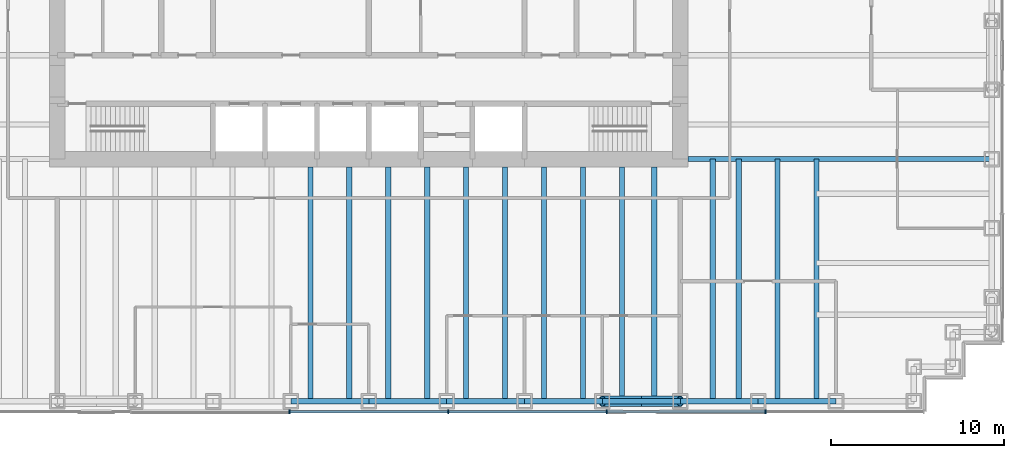
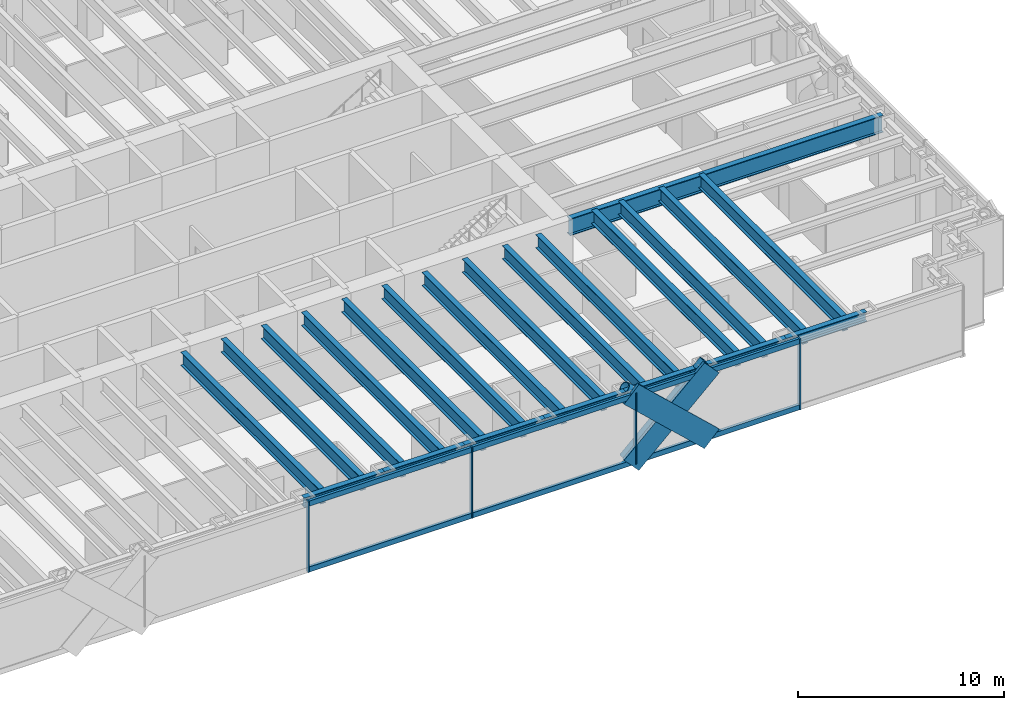
# One storey, part 4 of 17: 22 beams, 14 members, 1 element without a shape of its own.
"""IFC4 building model written with IfcOpenShell, lengths in metres."""

from ifc_helpers import new_model, si_unit, direction, frame, origin, origin_2d, place, context, subcontext, project, spatial, rectangle, hollow_circle, i_section, extrude, material, material_profile, profile_set, type_object, element, aggregate, save


model = new_model("IFC4")

# Units and contexts
model_context = context("Model", 3, precision=1e-05, world=origin(), true_north=direction((0.0, 1.0)))
body_context = subcontext(model_context, "Body", "Model", "MODEL_VIEW")
ifc_project = project(units=[si_unit("LENGTHUNIT", "METRE"), si_unit("AREAUNIT", "SQUARE_METRE"), si_unit("VOLUMEUNIT", "CUBIC_METRE"), si_unit("PLANEANGLEUNIT", "RADIAN"), si_unit("MASSUNIT", "GRAM", prefix="KILO")], contexts=[model_context])

# Site, building, storey
site_placement = place(None, origin())
site = spatial("IfcSite", under=ifc_project, at=site_placement, CompositionType="ELEMENT")
building_placement = place(site_placement, origin())
building = spatial("IfcBuilding", under=site, at=building_placement, Name="Rheinbord Bourse Tower", CompositionType="ELEMENT")
storey_placement = place(building_placement, frame((0.0, 0.0, 138.300048828125)))
storey = spatial("IfcBuildingStorey", under=building, at=storey_placement, Name="L30", CompositionType="ELEMENT", Elevation=138.300048828125)

# Curtain wall, members
ifc_material_1 = material(Name="Dark glass and black aluminium", Category="aluminium")
curtain_wall_type = type_object("IfcCurtainWallType", Name="CW2 DARK GLASS CURTAIN WALL", PredefinedType="USERDEFINED", material=ifc_material_1)
curtain_wall_placement = place(storey_placement, origin())
curtain_wall = element("IfcCurtainWall", 1, at=curtain_wall_placement, inside=storey, type_object=curtain_wall_type, Name="Curtain wall CW2 S L30", ObjectType="UNITISED CURTAIN WALL", PredefinedType="USERDEFINED")
ifc_material_2 = material(Name="Black anodised aluminium", Category="aluminium")
ifc_material_profile_1 = material_profile(ifc_material_2, rectangle(XDim=0.159912109375, YDim=1.2099609375, at=origin_2d()), Name="CW2 DIAGONAL MULLION 1210x160")
ifc_profile_set_1 = profile_set([ifc_material_profile_1], Name="Black anodised aluminium")
member_type_1 = type_object("IfcMemberType", Name="CW2 BLACK DIAGONAL MULLION", PredefinedType="USERDEFINED", material=ifc_profile_set_1)
member_1_placement = place(storey_placement, frame((54.0, 1.39990234375, 0.0), z_axis=(-0.73105922506, 0.0, 0.682314010889), x_axis=(0.0, -1.0, 0.0)))
member_1 = element("IfcMember", 2, at=member_1_placement, type_object=member_type_1, Name="CW2 diagonal mullion b", ObjectType="DIAGONAL MULLION", PredefinedType="USERDEFINED", context=body_context, shape_type="SweptSolid", body=[
    extrude(rectangle(XDim=0.159912109375, YDim=1.2099609375, at=origin_2d()), origin(), (0.0, 0.0, 1.0), 6.155517578125),
])
member_2_placement = place(storey_placement, frame((49.5, 1.39990234375, 0.0), z_axis=(0.73105922506, 0.0, 0.682314010889), x_axis=(0.0, 1.0, 0.0)))
member_2 = element("IfcMember", 3, at=member_2_placement, type_object=member_type_1, Name="CW2 diagonal mullion c", ObjectType="DIAGONAL MULLION", PredefinedType="USERDEFINED", context=body_context, shape_type="SweptSolid", body=[
    extrude(rectangle(XDim=0.159912109375, YDim=1.2099609375, at=origin_2d()), origin(), (0.0, 0.0, 1.0), 6.155517578125),
])
ifc_material_3 = material(Name="Black anodised aluminium", Category="aluminium")
ifc_material_profile_2 = material_profile(ifc_material_3, rectangle(XDim=0.219970703125, YDim=0.070068359375, at=origin_2d()), Name="CW2 MULLION 70x220")
ifc_profile_set_2 = profile_set([ifc_material_profile_2], Name="Black anodised aluminium")
member_type_2 = type_object("IfcMemberType", Name="CW2 BLACK MULLION", PredefinedType="MULLION", material=ifc_profile_set_2)
member_3_placement = place(storey_placement, frame((31.414306640625, 1.39990234375, 0.0), z_axis=(0.0, 0.0, 1.0), x_axis=(0.0, 1.0, 0.0)))
member_3 = element("IfcMember", 4, at=member_3_placement, type_object=member_type_2, Name="CW2 mullion 4", PredefinedType="MULLION", context=body_context, shape_type="SweptSolid", body=[
    extrude(rectangle(XDim=0.219970703125, YDim=0.070068359375, at=origin_2d()), origin(), (0.0, 0.0, 1.0), 4.199951171875),
])
member_4_placement = place(storey_placement, frame((40.585693359375, 1.39990234375, 0.0), z_axis=(0.0, 0.0, 1.0), x_axis=(0.0, 1.0, 0.0)))
member_4 = element("IfcMember", 5, at=member_4_placement, type_object=member_type_2, Name="CW2 mullion 5", PredefinedType="MULLION", context=body_context, shape_type="SweptSolid", body=[
    extrude(rectangle(XDim=0.219970703125, YDim=0.070068359375, at=origin_2d()), origin(), (0.0, 0.0, 1.0), 4.199951171875),
])
member_5_placement = place(storey_placement, frame((49.757080078125, 1.39990234375, 0.0), z_axis=(0.0, 0.0, 1.0), x_axis=(0.0, 1.0, 0.0)))
member_5 = element("IfcMember", 6, at=member_5_placement, type_object=member_type_2, Name="CW2 mullion 6", PredefinedType="MULLION", context=body_context, shape_type="SweptSolid", body=[
    extrude(rectangle(XDim=0.219970703125, YDim=0.070068359375, at=origin_2d()), origin(), (0.0, 0.0, 1.0), 4.199951171875),
])
member_6_placement = place(storey_placement, frame((58.928466796875, 1.39990234375, 0.0), z_axis=(0.0, 0.0, 1.0), x_axis=(0.0, 1.0, 0.0)))
member_6 = element("IfcMember", 7, at=member_6_placement, type_object=member_type_2, Name="CW2 mullion 7", PredefinedType="MULLION", context=body_context, shape_type="SweptSolid", body=[
    extrude(rectangle(XDim=0.219970703125, YDim=0.070068359375, at=origin_2d()), origin(), (0.0, 0.0, 1.0), 4.199951171875),
])
ifc_material_4 = material(Name="Black anodised aluminium", Category="aluminium")
ifc_material_profile_3 = material_profile(ifc_material_4, rectangle(XDim=0.159912109375, YDim=0.300048828125, at=origin_2d()), Name="CW2 TRANSOM 300x160")
ifc_profile_set_3 = profile_set([ifc_material_profile_3], Name="Black anodised aluminium")
member_type_3 = type_object("IfcMemberType", Name="CW2 BLACK TRANSOM", PredefinedType="USERDEFINED", material=ifc_profile_set_3)
member_7_placement = place(storey_placement, frame((31.44921875, 1.39990234375, 0.14990234375), z_axis=(1.0, 0.0, 0.0), x_axis=(0.0, 1.0, 0.0)))
member_7 = element("IfcMember", 8, at=member_7_placement, type_object=member_type_3, Name="CW2 transom 4.1", ObjectType="TRANSOM", PredefinedType="USERDEFINED", context=body_context, shape_type="SweptSolid", body=[
    extrude(rectangle(XDim=0.159912109375, YDim=0.300048828125, at=origin_2d()), origin(), (0.0, 0.0, 1.0), 9.1015625),
])
member_8_placement = place(storey_placement, frame((31.44921875, 1.39990234375, 4.050048828125), z_axis=(1.0, 0.0, 0.0), x_axis=(0.0, 1.0, 0.0)))
member_8 = element("IfcMember", 9, at=member_8_placement, type_object=member_type_3, Name="CW2 transom 4.2", ObjectType="TRANSOM", PredefinedType="USERDEFINED", context=body_context, shape_type="SweptSolid", body=[
    extrude(rectangle(XDim=0.159912109375, YDim=0.300048828125, at=origin_2d()), origin(), (0.0, 0.0, 1.0), 9.1015625),
])
member_9_placement = place(storey_placement, frame((40.62060546875, 1.39990234375, 0.14990234375), z_axis=(1.0, 0.0, 0.0), x_axis=(0.0, 1.0, 0.0)))
member_9 = element("IfcMember", 10, at=member_9_placement, type_object=member_type_3, Name="CW2 transom 5.1", ObjectType="TRANSOM", PredefinedType="USERDEFINED", context=body_context, shape_type="SweptSolid", body=[
    extrude(rectangle(XDim=0.159912109375, YDim=0.300048828125, at=origin_2d()), origin(), (0.0, 0.0, 1.0), 9.1015625),
])
member_10_placement = place(storey_placement, frame((40.62060546875, 1.39990234375, 4.050048828125), z_axis=(1.0, 0.0, 0.0), x_axis=(0.0, 1.0, 0.0)))
member_10 = element("IfcMember", 11, at=member_10_placement, type_object=member_type_3, Name="CW2 transom 5.2", ObjectType="TRANSOM", PredefinedType="USERDEFINED", context=body_context, shape_type="SweptSolid", body=[
    extrude(rectangle(XDim=0.159912109375, YDim=0.300048828125, at=origin_2d()), origin(), (0.0, 0.0, 1.0), 9.1015625),
])
member_11_placement = place(storey_placement, frame((49.792236328125, 1.39990234375, 0.14990234375), z_axis=(1.0, 0.0, 0.0), x_axis=(0.0, 1.0, 0.0)))
member_11 = element("IfcMember", 12, at=member_11_placement, type_object=member_type_3, Name="CW2 transom 6.1", ObjectType="TRANSOM", PredefinedType="USERDEFINED", context=body_context, shape_type="SweptSolid", body=[
    extrude(rectangle(XDim=0.159912109375, YDim=0.300048828125, at=origin_2d()), origin(), (0.0, 0.0, 1.0), 9.101318359375),
])
member_12_placement = place(storey_placement, frame((49.792236328125, 1.39990234375, 4.050048828125), z_axis=(1.0, 0.0, 0.0), x_axis=(0.0, 1.0, 0.0)))
member_12 = element("IfcMember", 13, at=member_12_placement, type_object=member_type_3, Name="CW2 transom 6.2", ObjectType="TRANSOM", PredefinedType="USERDEFINED", context=body_context, shape_type="SweptSolid", body=[
    extrude(rectangle(XDim=0.159912109375, YDim=0.300048828125, at=origin_2d()), origin(), (0.0, 0.0, 1.0), 9.101318359375),
])
aggregate(curtain_wall, [member_3, member_4, member_5, member_6, member_7, member_8, member_9, member_10, member_11, member_12, member_1, member_2])

# Beams
ifc_material_5 = material(Name="Steel S460", Category="steel")
ifc_material_profile_4 = material_profile(ifc_material_5, i_section(OverallWidth=0.300048828125, OverallDepth=0.800048828125, WebThickness=0.017578125, FlangeThickness=0.032958984375, at=origin_2d()), Name="HEB 800")
ifc_profile_set_4 = profile_set([ifc_material_profile_4], Name="Steel S460")
beam_type_1 = type_object("IfcBeamType", Name="FLOOR BEAM HEB 800", PredefinedType="BEAM", material=ifc_profile_set_4)
for number, where, z_axis, x_axis, name in (
    (14, (32.625, 2.0, 3.639892578125), (0.0, 1.0, 0.0), (-1.0, 0.0, 0.0), "Floor beam S-31.5a L31"),
    (15, (34.875, 2.0, 3.639892578125), (0.0, 1.0, 0.0), (-1.0, 0.0, 0.0), "Floor beam S-31.5b L31"),
    (16, (37.125, 2.0, 3.639892578125), (0.0, 1.0, 0.0), (-1.0, 0.0, 0.0), "Floor beam S-36a L31"),
    (17, (39.375, 2.0, 3.639892578125), (0.0, 1.0, 0.0), (-1.0, 0.0, 0.0), "Floor beam S-36b L31"),
    (18, (41.625, 2.0, 3.639892578125), (0.0, 1.0, 0.0), (-1.0, 0.0, 0.0), "Floor beam S-40.5a L31"),
    (19, (43.875, 2.0, 3.639892578125), (0.0, 1.0, 0.0), (-1.0, 0.0, 0.0), "Floor beam S-40.5b L31"),
    (20, (46.125, 2.0, 3.639892578125), (0.0, 1.0, 0.0), (-1.0, 0.0, 0.0), "Floor beam S-45a L31"),
    (21, (48.375, 2.0, 3.639892578125), (0.0, 1.0, 0.0), (-1.0, 0.0, 0.0), "Floor beam S-45b L31"),
    (22, (50.625, 2.0, 3.639892578125), (0.0, 1.0, 0.0), (-1.0, 0.0, 0.0), "Floor beam S-49.5a L31"),
    (23, (52.5, 2.0, 3.639892578125), (0.0, 1.0, 0.0), (-1.0, 0.0, 0.0), "Floor beam S-49.5b L31"),
):
    element("IfcBeam", number, at=place(storey_placement, frame(where, z_axis=z_axis, x_axis=x_axis)), inside=storey, type_object=beam_type_1, Name=name, PredefinedType="BEAM", context=body_context, shape_type="SweptSolid", body=[
        extrude(i_section(OverallWidth=0.300048828125, OverallDepth=0.800048828125, WebThickness=0.017578125, FlangeThickness=0.032958984375, at=origin_2d()), origin(), (0.0, 0.0, 1.0), 13.550048828125),
    ])
for number, where, z_axis, x_axis, name in (
    (24, (55.875, 2.0, 3.639892578125), (0.0, 1.0, 0.0), (-1.0, 0.0, 0.0), "Floor beam S-54a L31"),
    (25, (57.375, 2.0, 3.639892578125), (0.0, 1.0, 0.0), (-1.0, 0.0, 0.0), "Floor beam S-54b L31"),
    (26, (59.625, 2.0, 3.639892578125), (0.0, 1.0, 0.0), (-1.0, 0.0, 0.0), "Floor beam S-58.5a L31"),
    (27, (61.875, 2.0, 3.639892578125), (0.0, 1.0, 0.0), (-1.0, 0.0, 0.0), "Floor beam S-58.5b L31"),
):
    element("IfcBeam", number, at=place(storey_placement, frame(where, z_axis=z_axis, x_axis=x_axis)), inside=storey, type_object=beam_type_1, Name=name, PredefinedType="BEAM", context=body_context, shape_type="SweptSolid", body=[
        extrude(i_section(OverallWidth=0.300048828125, OverallDepth=0.800048828125, WebThickness=0.017578125, FlangeThickness=0.032958984375, at=origin_2d()), origin(), (0.0, 0.0, 1.0), 14.0),
    ])
ifc_material_6 = material(Name="Steel S460", Category="steel")
ifc_material_profile_5 = material_profile(ifc_material_6, i_section(OverallWidth=0.302001953125, OverallDepth=1.008056640625, WebThickness=0.02099609375, FlangeThickness=0.0400390625, at=origin_2d()), Name="HEM 1000")
ifc_profile_set_5 = profile_set([ifc_material_profile_5], Name="Steel S460")
beam_type_2 = type_object("IfcBeamType", Name="GIRDER HEM 1000", PredefinedType="BEAM", material=ifc_profile_set_5)
beam_placement = place(storey_placement, frame((54.449951171875, 16.0, 3.535888671875), z_axis=(1.0, 0.0, 0.0), x_axis=(0.0, 1.0, 0.0)))
element("IfcBeam", 28, at=beam_placement, inside=storey, type_object=beam_type_2, Name="Girder east 16 L31", PredefinedType="BEAM", context=body_context, shape_type="SweptSolid", body=[
    extrude(i_section(OverallWidth=0.302001953125, OverallDepth=1.008056640625, WebThickness=0.02099609375, FlangeThickness=0.0400390625, at=origin_2d()), origin(), (0.0, 0.0, 1.0), 17.550048828125),
])

# Members
ifc_material_7 = material(Name="Steel S460", Category="steel")
ifc_material_profile_6 = material_profile(ifc_material_7, hollow_circle(Radius=0.304931640625, WallThickness=0.0400390625, at=origin_2d()), Name="CHS 610x40")
ifc_profile_set_6 = profile_set([ifc_material_profile_6], Name="Steel S460")
member_type_4 = type_object("IfcMemberType", Name="MEGABRACE CHS 610x40", PredefinedType="BRACE", material=ifc_profile_set_6)
for number, where, z_axis, x_axis, name in (
    (29, (54.0, 2.0, 0.0), (-0.73105922506, 0.0, 0.682314010889), (0.0, -1.0, 0.0), "Megabrace S face line b L30"),
    (30, (49.5, 2.0, 0.0), (0.73105922506, 0.0, 0.682314010889), (0.0, 1.0, 0.0), "Megabrace S face line c L30"),
):
    element("IfcMember", number, at=place(storey_placement, frame(where, z_axis=z_axis, x_axis=x_axis)), inside=storey, type_object=member_type_4, Name=name, PredefinedType="BRACE", context=body_context, shape_type="SweptSolid", body=[
        extrude(hollow_circle(Radius=0.304931640625, WallThickness=0.0400390625, at=origin_2d()), origin(), (0.0, 0.0, 1.0), 6.155517578125),
    ])

# Beams
ifc_material_8 = material(Name="Steel S460", Category="steel")
ifc_material_profile_7 = material_profile(ifc_material_8, i_section(OverallWidth=0.305908203125, OverallDepth=0.572021484375, WebThickness=0.02099609375, FlangeThickness=0.0400390625, at=origin_2d()), Name="HEM 550")
ifc_profile_set_7 = profile_set([ifc_material_profile_7], Name="Steel S460")
beam_type_3 = type_object("IfcBeamType", Name="SPANDREL HEM 550", PredefinedType="SPANDREL", material=ifc_profile_set_7)
for number, where, z_axis, x_axis, name in (
    (31, (31.5, 2.0, 3.75390625), (1.0, 0.0, 0.0), (0.0, 1.0, 0.0), "Spandrel S-31.5-S-36 under L31"),
    (32, (36.0, 2.0, 3.75390625), (1.0, 0.0, 0.0), (0.0, 1.0, 0.0), "Spandrel S-36-S-40.5 under L31"),
    (33, (40.5, 2.0, 3.75390625), (1.0, 0.0, 0.0), (0.0, 1.0, 0.0), "Spandrel S-40.5-S-45 under L31"),
    (34, (45.0, 2.0, 3.75390625), (1.0, 0.0, 0.0), (0.0, 1.0, 0.0), "Spandrel S-45-S-49.5 under L31"),
    (35, (49.5, 2.0, 3.75390625), (1.0, 0.0, 0.0), (0.0, 1.0, 0.0), "Spandrel S-49.5-S-54 under L31"),
    (36, (54.0, 2.0, 3.75390625), (1.0, 0.0, 0.0), (0.0, 1.0, 0.0), "Spandrel S-54-S-58.5 under L31"),
    (37, (58.5, 2.0, 3.75390625), (1.0, 0.0, 0.0), (0.0, 1.0, 0.0), "Spandrel S-58.5-S-63 under L31"),
):
    element("IfcBeam", number, at=place(storey_placement, frame(where, z_axis=z_axis, x_axis=x_axis)), inside=storey, type_object=beam_type_3, Name=name, PredefinedType="SPANDREL", context=body_context, shape_type="SweptSolid", body=[
        extrude(i_section(OverallWidth=0.305908203125, OverallDepth=0.572021484375, WebThickness=0.02099609375, FlangeThickness=0.0400390625, at=origin_2d()), origin(), (0.0, 0.0, 1.0), 4.5),
    ])

save(model, "model.ifc")
